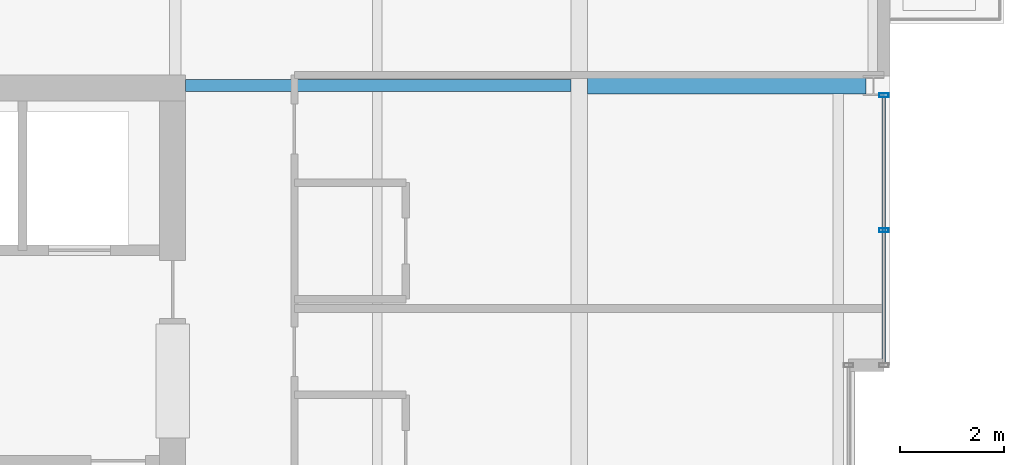
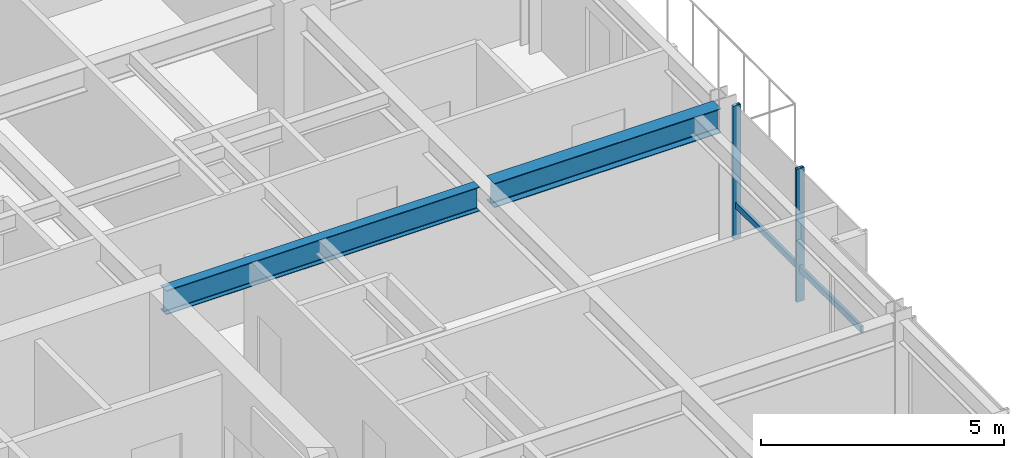
# One storey, part 22 of 33: 3 members, 2 beams, 1 element without a shape of its own.
"""IFC4 building model written with IfcOpenShell, lengths in metres."""

from ifc_helpers import new_model, si_unit, direction, frame, origin, origin_2d, place, context, subcontext, project, spatial, hollow_rectangle, i_section, extrude, material, layer, layer_set, material_profile, profile_set, type_object, element, aggregate, save


model = new_model("IFC4")

# Units and contexts
model_context = context("Model", 3, precision=1e-05, world=origin(), true_north=direction((0.0, 1.0)))
body_context = subcontext(model_context, "Body", "Model", "MODEL_VIEW")
ifc_project = project(units=[si_unit("LENGTHUNIT", "METRE"), si_unit("AREAUNIT", "SQUARE_METRE"), si_unit("VOLUMEUNIT", "CUBIC_METRE"), si_unit("PLANEANGLEUNIT", "RADIAN"), si_unit("MASSUNIT", "GRAM", prefix="KILO")], contexts=[model_context])

# Site, building, storey
site_placement = place(None, origin())
site = spatial("IfcSite", under=ifc_project, at=site_placement, CompositionType="ELEMENT")
building_placement = place(site_placement, origin())
building = spatial("IfcBuilding", under=site, at=building_placement, Name="Drelvath Grand Hotel", CompositionType="ELEMENT")
storey_placement = place(building_placement, frame((0.0, 0.0, 212.300048828125)))
storey = spatial("IfcBuildingStorey", under=building, at=storey_placement, Name="L55", CompositionType="ELEMENT", Elevation=212.300048828125)

# Curtain wall, members
ifc_material_1 = material(Name="Platinum-Mist Anodised Aluminium Frame", Category="aluminium")
ifc_layer = layer(ifc_material_1, 0.199951171875)
ifc_layer_set = layer_set([ifc_layer], Name="Platinum-Mist Anodised Aluminium Frame")
curtain_wall_type = type_object("IfcCurtainWallType", Name="Stick Curtain Wall CW-05 Platinum Mist High-Rise", PredefinedType="NOTDEFINED", material=ifc_layer_set)
curtain_wall_placement = place(storey_placement, origin())
curtain_wall = element("IfcCurtainWall", 1, at=curtain_wall_placement, inside=storey, type_object=curtain_wall_type, Name="L55 CW-05 Curtain Wall CW05-L55-EN1", PredefinedType="NOTDEFINED")
ifc_material_profile_1 = material_profile(ifc_material_1, hollow_rectangle(XDim=0.06494140625, YDim=0.159912109375, WallThickness=0.00390625, at=origin_2d()), Name="HSS160X65X4")
ifc_profile_set_1 = profile_set([ifc_material_profile_1], Name="Platinum-Mist Anodised Aluminium Frame")
member_type_1 = type_object("IfcMemberType", Name="Curtain Wall Horizontal Transom CW-05 HSS160X65X4", PredefinedType="USERDEFINED", material=ifc_profile_set_1)
member_1_placement = place(storey_placement, frame((22.080078125, 35.1748046875, 0.8349609375), z_axis=(0.0, -1.0, 0.0), x_axis=(1.0, 0.0, 0.0)))
member_1 = element("IfcMember", 2, at=member_1_placement, type_object=member_type_1, Name="CW05-L55-EN1 Sill Transom", ObjectType="TRANSOM", PredefinedType="USERDEFINED", context=body_context, shape_type="SweptSolid", body=[
    extrude(hollow_rectangle(XDim=0.06494140625, YDim=0.159912109375, WallThickness=0.00390625, at=origin_2d()), origin(), (0.0, 0.0, 1.0), 5.134765625),
])
ifc_material_profile_2 = material_profile(ifc_material_1, hollow_rectangle(XDim=0.074951171875, YDim=0.179931640625, WallThickness=0.0048828125, at=origin_2d()), Name="HSS180X75X5")
ifc_profile_set_2 = profile_set([ifc_material_profile_2], Name="Platinum-Mist Anodised Aluminium Frame")
member_type_2 = type_object("IfcMemberType", Name="Curtain Wall Vertical Mullion CW-05 HSS180X75X5", PredefinedType="MULLION", material=ifc_profile_set_2)
member_2_placement = place(storey_placement, frame((22.080078125, 35.214599609375, 0.0), z_axis=(0.0, 0.0, 1.0), x_axis=(0.0, 1.0, 0.0)))
member_2 = element("IfcMember", 3, at=member_2_placement, type_object=member_type_2, Name="CW05-L55-EN1 Mullion 1", PredefinedType="MULLION", context=body_context, shape_type="SweptSolid", body=[
    extrude(hollow_rectangle(XDim=0.074951171875, YDim=0.179931640625, WallThickness=0.0048828125, at=origin_2d()), origin(), (0.0, 0.0, 1.0), 3.33984375),
])
member_3_placement = place(storey_placement, frame((22.080078125, 32.607421875, 0.0), z_axis=(0.0, 0.0, 1.0), x_axis=(0.0, 1.0, 0.0)))
member_3 = element("IfcMember", 4, at=member_3_placement, type_object=member_type_2, Name="CW05-L55-EN1 Mullion 2", PredefinedType="MULLION", context=body_context, shape_type="SweptSolid", body=[
    extrude(hollow_rectangle(XDim=0.074951171875, YDim=0.179931640625, WallThickness=0.0048828125, at=origin_2d()), origin(), (0.0, 0.0, 1.0), 3.33984375),
])
aggregate(curtain_wall, [member_2, member_3, member_1])

# Beams
ifc_material_2 = material(Name="Steel ASTM A992 Gr 50", Category="steel")
ifc_material_profile_3 = material_profile(ifc_material_2, i_section(OverallWidth=0.323974609375, OverallDepth=0.611083984375, WebThickness=0.0126953125, FlangeThickness=0.01904296875, FilletRadius=0.02197265625, at=origin_2d()), Name="W24X104")
ifc_profile_set_3 = profile_set([ifc_material_profile_3], Name="Steel ASTM A992 Gr 50")
beam_type_1 = type_object("IfcBeamType", Name="Primary Floor Girder W24X104", PredefinedType="BEAM", material=ifc_profile_set_3)
beam_1_placement = place(storey_placement, frame((16.362060546875, 35.39990234375, 3.034423828125), z_axis=(1.0, 0.0, 0.0), x_axis=(0.0, 1.0, 0.0)))
element("IfcBeam", 5, at=beam_1_placement, inside=storey, type_object=beam_type_1, Name="L55 East Wing Girder F", PredefinedType="BEAM", context=body_context, shape_type="SweptSolid", body=[
    extrude(i_section(OverallWidth=0.323974609375, OverallDepth=0.611083984375, WebThickness=0.0126953125, FlangeThickness=0.01904296875, FilletRadius=0.02197265625, at=origin_2d()), origin(), (0.0, 0.0, 1.0), 5.3779296875),
])
ifc_material_profile_4 = material_profile(ifc_material_2, i_section(OverallWidth=0.228271484375, OverallDepth=0.607666015625, WebThickness=0.01123046875, FlangeThickness=0.017333984375, FilletRadius=0.02001953125, at=origin_2d()), Name="W24X76")
ifc_profile_set_4 = profile_set([ifc_material_profile_4], Name="Steel ASTM A992 Gr 50")
beam_type_2 = type_object("IfcBeamType", Name="Primary Floor Girder W24X76", PredefinedType="BEAM", material=ifc_profile_set_4)
beam_2_placement = place(storey_placement, frame((8.60009765625, 35.39990234375, 3.0361328125), z_axis=(1.0, 0.0, 0.0), x_axis=(0.0, 1.0, 0.0)))
element("IfcBeam", 6, at=beam_2_placement, inside=storey, type_object=beam_type_2, Name="L55 East Core Tie F", PredefinedType="BEAM", context=body_context, shape_type="SweptSolid", body=[
    extrude(i_section(OverallWidth=0.228271484375, OverallDepth=0.607666015625, WebThickness=0.01123046875, FlangeThickness=0.017333984375, FilletRadius=0.02001953125, at=origin_2d()), origin(), (0.0, 0.0, 1.0), 7.43798828125),
])

save(model, "model.ifc")
